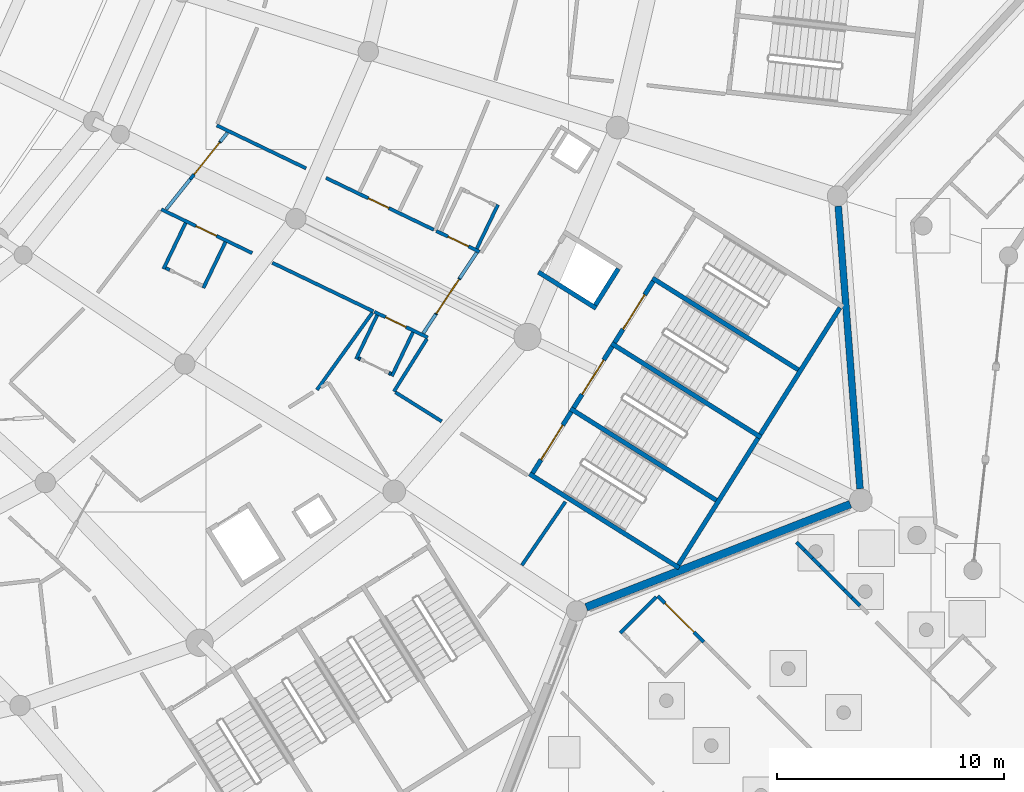
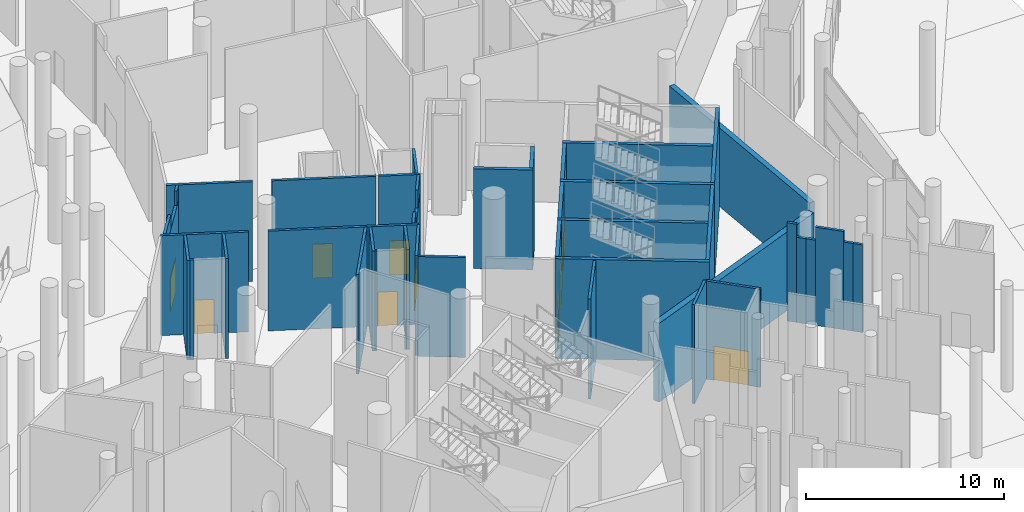
# One storey, part 125 of 255: 45 walls, 10 doors, 10 openings.
"""IFC4 building model written with IfcOpenShell, lengths in metres."""

from ifc_helpers import new_model, si_unit, direction, frame, frame_2d, origin, place, context, subcontext, project, spatial, rectangle, extrude, material, layer, layer_set, type_object, element, fill, save


model = new_model("IFC4")

# Units and contexts
model_context = context("Model", 3, precision=1e-05, world=origin(), true_north=direction((0.0, 1.0)))
body_context = subcontext(model_context, "Body", "Model", "MODEL_VIEW")
ifc_project = project(units=[si_unit("LENGTHUNIT", "METRE"), si_unit("AREAUNIT", "SQUARE_METRE"), si_unit("VOLUMEUNIT", "CUBIC_METRE"), si_unit("PLANEANGLEUNIT", "RADIAN"), si_unit("MASSUNIT", "GRAM", prefix="KILO")], contexts=[model_context])

# Site, building, storey
site_placement = place(None, origin())
site = spatial("IfcSite", under=ifc_project, at=site_placement, CompositionType="ELEMENT")
building_placement = place(site_placement, origin())
building = spatial("IfcBuilding", under=site, at=building_placement, Name="Meseta Stadium", CompositionType="ELEMENT")
storey_placement = place(building_placement, origin())
storey = spatial("IfcBuildingStorey", under=building, at=storey_placement, Name="L00", CompositionType="ELEMENT", Elevation=0.0)

# Walls
ifc_material_1 = material(Name="Concrete C40/50", Category="concrete")
ifc_layer_1 = layer(ifc_material_1, 0.199951171875)
ifc_layer_set_1 = layer_set([ifc_layer_1], Name="Core divider wall 200")
wall_type_1 = type_object("IfcWallType", Name="Core divider wall 200", PredefinedType="SHEAR", material=ifc_layer_set_1)
wall_1_placement = place(storey_placement, frame((86.696533203125, -79.5869140625, 0.0), z_axis=(0.0, 0.0, 1.0), x_axis=(-0.846713903605, 0.532048461553, 0.0)))
element("IfcWall", 1, at=wall_1_placement, inside=storey, type_object=wall_type_1, Name="Core 28 L00 stair A divider wall", PredefinedType="SHEAR", context=body_context, shape_type="SweptSolid", body=[
    extrude(rectangle(XDim=7.7998046875, YDim=0.199951171875, at=frame_2d((3.89990234375, 0.0))), origin(), (0.0, 0.0, 1.0), 6.14990234375),
])
wall_2_placement = place(storey_placement, frame((90.314453125, -73.8291015625, 0.0), z_axis=(0.0, 0.0, 1.0), x_axis=(-0.846722763703, 0.532034361135, 0.0)))
element("IfcWall", 2, at=wall_2_placement, inside=storey, type_object=wall_type_1, Name="Core 28 L00 stair B divider wall", PredefinedType="SHEAR", context=body_context, shape_type="SweptSolid", body=[
    extrude(rectangle(XDim=7.800048828125, YDim=0.199951171875, at=frame_2d((3.89990234375, 0.0))), origin(), (0.0, 0.0, 1.0), 6.14990234375),
])
ifc_material_2 = material(Name="Concrete C40/50", Category="concrete")
ifc_layer_2 = layer(ifc_material_2, 0.199951171875)
ifc_layer_set_2 = layer_set([ifc_layer_2], Name="Core shaft wall 200")
wall_type_2 = type_object("IfcWallType", Name="Core shaft wall 200", PredefinedType="SHEAR", material=ifc_layer_set_2)
for number, where, z_axis, x_axis, name in (
    (3, (84.8876953125, -82.4658203125, 0.0), (0.0, 0.0, 1.0), (-0.846722763703, 0.532034361135, 0.0), "Core 28 L00 stair wall A-side"),
    (4, (88.505615234375, -76.7080078125, 0.0), (0.0, 0.0, 1.0), (-0.846722763703, 0.532034361135, 0.0), "Core 28 L00 stair wall shared"),
):
    element("IfcWall", number, at=place(storey_placement, frame(where, z_axis=z_axis, x_axis=x_axis)), inside=storey, type_object=wall_type_2, Name=name, PredefinedType="SHEAR", context=body_context, shape_type="SweptSolid", body=[
        extrude(rectangle(XDim=7.800048828125, YDim=0.199951171875, at=frame_2d((3.89990234375, 0.0))), origin(), (0.0, 0.0, 1.0), 6.14990234375),
    ])
for number, where, z_axis, x_axis, name in (
    (5, (84.856201171875, -82.327880859375, 0.0), (0.0, 0.0, 1.0), (0.532038964807, 0.846719870989, 0.0), "Core 28 L00 stair A outer end wall"),
    (6, (88.47412109375, -76.570068359375, 0.0), (0.0, 0.0, 1.0), (0.532038964807, 0.846719870989, 0.0), "Core 28 L00 stair B outer end wall"),
):
    element("IfcWall", number, at=place(storey_placement, frame(where, z_axis=z_axis, x_axis=x_axis)), inside=storey, type_object=wall_type_2, Name=name, PredefinedType="SHEAR", context=body_context, shape_type="SweptSolid", body=[
        extrude(rectangle(XDim=6.60009765625, YDim=0.199951171875, at=frame_2d((3.300048828125, 0.0))), origin(), (0.0, 0.0, 1.0), 6.14990234375),
    ])

# Wall, opening, door
wall_3_placement = place(storey_placement, frame((78.421142578125, -78.284423828125, 0.0), z_axis=(0.0, 0.0, 1.0), x_axis=(0.53206841829, 0.84670136309, 0.0)))
wall_3 = element("IfcWall", 7, at=wall_3_placement, inside=storey, type_object=wall_type_2, Name="Core 28 L00 stair A1 inner end wall", PredefinedType="SHEAR", context=body_context, shape_type="SweptSolid", body=[
    extrude(rectangle(XDim=3.199951171875, YDim=0.199951171875, at=frame_2d((1.60009765625, 0.0))), origin(), (0.0, 0.0, 1.0), 6.14990234375),
])
opening_1_placement = place(wall_3_placement, frame((0.699951171875, 0.0, 0.0)))
opening_1 = element("IfcOpeningElement", 8, at=opening_1_placement, cuts=wall_3, Name="Opening D369", PredefinedType="OPENING", context=body_context, shape_type="SweptSolid", body=[
    extrude(rectangle(XDim=1.800048828125, YDim=2.10009765625, at=frame_2d((0.89990234375, 1.050048828125))), frame((0.0, 0.10986328125, 0.0), z_axis=(0.0, -1.0, 0.0), x_axis=(1.0, 0.0, 0.0)), (0.0, 0.0, 1.0), 0.219970703125),
])
ifc_material_3 = material(Name="Steel", Category="steel")
door_type_1 = type_object("IfcDoorType", Name="Stair door 1800x2100", OperationType="DOUBLE_DOOR_SINGLE_SWING", PredefinedType="DOOR", material=ifc_material_3)
door_1_placement = place(opening_1_placement, origin())
door_1 = element("IfcDoor", 9, at=door_1_placement, inside=storey, type_object=door_type_1, Name="Stair A1 door 28 L00", OperationType="DOUBLE_DOOR_SINGLE_SWING", OverallHeight=2.10009765625, OverallWidth=1.800048828125, PredefinedType="DOOR", context=body_context, shape_type="SweptSolid", body=[
    extrude(rectangle(XDim=1.800048828125, YDim=2.10009765625, at=frame_2d((0.89990234375, 1.050048828125))), frame((0.0, 0.02490234375, 0.0), z_axis=(0.0, -1.0, 0.0), x_axis=(1.0, 0.0, 0.0)), (0.0, 0.0, 1.0), 0.050048828125),
])
fill(opening_1, door_1)

wall_4_placement = place(storey_placement, frame((80.22998046875, -75.405517578125, 0.0), z_axis=(0.0, 0.0, 1.0), x_axis=(0.53206841829, 0.84670136309, 0.0)))
wall_4 = element("IfcWall", 10, at=wall_4_placement, inside=storey, type_object=wall_type_2, Name="Core 28 L00 stair A2 inner end wall", PredefinedType="SHEAR", context=body_context, shape_type="SweptSolid", body=[
    extrude(rectangle(XDim=3.199951171875, YDim=0.199951171875, at=frame_2d((1.60009765625, 0.0))), origin(), (0.0, 0.0, 1.0), 6.14990234375),
])
opening_2_placement = place(wall_4_placement, frame((0.699951171875, 0.0, 0.0)))
opening_2 = element("IfcOpeningElement", 11, at=opening_2_placement, cuts=wall_4, Name="Opening D370", PredefinedType="OPENING", context=body_context, shape_type="SweptSolid", body=[
    extrude(rectangle(XDim=1.800048828125, YDim=2.10009765625, at=frame_2d((0.89990234375, 1.050048828125))), frame((0.0, 0.10986328125, 0.0), z_axis=(0.0, -1.0, 0.0), x_axis=(1.0, 0.0, 0.0)), (0.0, 0.0, 1.0), 0.219970703125),
])
door_2_placement = place(opening_2_placement, origin())
door_2 = element("IfcDoor", 12, at=door_2_placement, inside=storey, type_object=door_type_1, Name="Stair A2 door 28 L00", OperationType="DOUBLE_DOOR_SINGLE_SWING", OverallHeight=2.10009765625, OverallWidth=1.800048828125, PredefinedType="DOOR", context=body_context, shape_type="SweptSolid", body=[
    extrude(rectangle(XDim=1.800048828125, YDim=2.10009765625, at=frame_2d((0.89990234375, 1.050048828125))), frame((0.0, 0.02490234375, 0.0), z_axis=(0.0, -1.0, 0.0), x_axis=(1.0, 0.0, 0.0)), (0.0, 0.0, 1.0), 0.050048828125),
])
fill(opening_2, door_2)

wall_5_placement = place(storey_placement, frame((82.0390625, -72.526611328125, 0.0), z_axis=(0.0, 0.0, 1.0), x_axis=(0.532013720158, 0.846735733015, 0.0)))
wall_5 = element("IfcWall", 13, at=wall_5_placement, inside=storey, type_object=wall_type_2, Name="Core 28 L00 stair B1 inner end wall", PredefinedType="SHEAR", context=body_context, shape_type="SweptSolid", body=[
    extrude(rectangle(XDim=3.199951171875, YDim=0.199951171875, at=frame_2d((1.60009765625, 0.0))), origin(), (0.0, 0.0, 1.0), 6.14990234375),
])
opening_3_placement = place(wall_5_placement, frame((0.699951171875, 0.0, 0.0)))
opening_3 = element("IfcOpeningElement", 14, at=opening_3_placement, cuts=wall_5, Name="Opening D371", PredefinedType="OPENING", context=body_context, shape_type="SweptSolid", body=[
    extrude(rectangle(XDim=1.800048828125, YDim=2.10009765625, at=frame_2d((0.89990234375, 1.050048828125))), frame((0.0, 0.10986328125, 0.0), z_axis=(0.0, -1.0, 0.0), x_axis=(1.0, 0.0, 0.0)), (0.0, 0.0, 1.0), 0.219970703125),
])
door_3_placement = place(opening_3_placement, origin())
door_3 = element("IfcDoor", 15, at=door_3_placement, inside=storey, type_object=door_type_1, Name="Stair B1 door 28 L00", OperationType="DOUBLE_DOOR_SINGLE_SWING", OverallHeight=2.10009765625, OverallWidth=1.800048828125, PredefinedType="DOOR", context=body_context, shape_type="SweptSolid", body=[
    extrude(rectangle(XDim=1.800048828125, YDim=2.10009765625, at=frame_2d((0.89990234375, 1.050048828125))), frame((0.0, 0.02490234375, 0.0), z_axis=(0.0, -1.0, 0.0), x_axis=(1.0, 0.0, 0.0)), (0.0, 0.0, 1.0), 0.050048828125),
])
fill(opening_3, door_3)

# Walls
wall_6_placement = place(storey_placement, frame((81.22119140625, -71.0087890625, 0.0), z_axis=(0.0, 0.0, 1.0), x_axis=(-0.846757002027, 0.531979867588, 0.0)))
element("IfcWall", 16, at=wall_6_placement, inside=storey, type_object=wall_type_2, Name="Core 28 L00 lift shaft wall left", PredefinedType="SHEAR", context=body_context, shape_type="SweptSolid", body=[
    extrude(rectangle(XDim=3.0, YDim=0.199951171875, at=frame_2d((1.5, 0.0))), origin(), (0.0, 0.0, 1.0), 6.14990234375),
])
wall_7_placement = place(storey_placement, frame((81.189697265625, -70.87109375, 0.0), z_axis=(0.0, 0.0, 1.0), x_axis=(0.531961007765, 0.846768850524, 0.0)))
element("IfcWall", 17, at=wall_7_placement, inside=storey, type_object=wall_type_2, Name="Core 28 L00 lift shaft back wall", PredefinedType="SHEAR", context=body_context, shape_type="SweptSolid", body=[
    extrude(rectangle(XDim=1.900146484375, YDim=0.199951171875, at=frame_2d((0.9501953125, 0.0))), origin(), (0.0, 0.0, 1.0), 6.14990234375),
])

# Wall, opening, door
ifc_material_4 = material(Name="Masonry blockwork", Category="masonry")
ifc_layer_3 = layer(ifc_material_4, 0.14990234375)
ifc_layer_set_3 = layer_set([ifc_layer_3], Name="Partition 150")
wall_type_3 = type_object("IfcWallType", Name="Partition 150", PredefinedType="PARTITIONING", material=ifc_layer_set_3)
wall_8_placement = place(storey_placement, frame((83.94921875, -83.70654296875, 0.0), z_axis=(0.0, 0.0, 1.0), x_axis=(0.707106781187, -0.707106781187, 0.0)))
wall_8 = element("IfcWall", 18, at=wall_8_placement, inside=storey, type_object=wall_type_3, Name="Partition L00 G8-L00-2-TicketHall-0", PredefinedType="PARTITIONING", context=body_context, shape_type="SweptSolid", body=[
    extrude(rectangle(XDim=2.87158203125, YDim=0.14990234375, at=frame_2d((1.435791015625, 0.0))), origin(), (0.0, 0.0, 1.0), 6.050048828125),
])
opening_4_placement = place(wall_8_placement, frame((0.449951171875, 0.0, 0.0)))
opening_4 = element("IfcOpeningElement", 19, at=opening_4_placement, cuts=wall_8, Name="Opening D533", PredefinedType="OPENING", context=body_context, shape_type="SweptSolid", body=[
    extrude(rectangle(XDim=1.800048828125, YDim=2.10009765625, at=frame_2d((0.89990234375, 1.050048828125))), frame((0.0, 0.0849609375, 0.0), z_axis=(0.0, -1.0, 0.0), x_axis=(1.0, 0.0, 0.0)), (0.0, 0.0, 1.0), 0.169921875),
])
ifc_material_5 = material(Name="Steel", Category="steel")
door_type_2 = type_object("IfcDoorType", Name="Fire double door 1800x2100 EI2 60", OperationType="DOUBLE_DOOR_SINGLE_SWING", PredefinedType="DOOR", material=ifc_material_5)
door_4_placement = place(opening_4_placement, origin())
door_4 = element("IfcDoor", 20, at=door_4_placement, inside=storey, type_object=door_type_2, Name="Door D533", OperationType="DOUBLE_DOOR_SINGLE_SWING", OverallHeight=2.10009765625, OverallWidth=1.800048828125, PredefinedType="DOOR", context=body_context, shape_type="SweptSolid", body=[
    extrude(rectangle(XDim=1.800048828125, YDim=2.10009765625, at=frame_2d((0.89990234375, 1.050048828125))), frame((0.0, 0.02490234375, 0.0), z_axis=(0.0, -1.0, 0.0), x_axis=(1.0, 0.0, 0.0)), (0.0, 0.0, 1.0), 0.050048828125),
])
fill(opening_4, door_4)

# Walls
wall_9_placement = place(storey_placement, frame((90.066162109375, -81.338134765625, 0.0), z_axis=(0.0, 0.0, 1.0), x_axis=(0.707106781187, -0.707106781187, 0.0)))
element("IfcWall", 21, at=wall_9_placement, inside=storey, type_object=wall_type_3, Name="Partition L00 G8-L00-3-EntranceHall-0", PredefinedType="PARTITIONING", context=body_context, shape_type="SweptSolid", body=[
    extrude(rectangle(XDim=0.495361328125, YDim=0.14990234375, at=frame_2d((0.24755859375, 0.0))), origin(), (0.0, 0.0, 1.0), 6.050048828125),
])
for number, where, z_axis, x_axis, name in (
    (22, (90.41650390625, -81.6884765625, 0.0), (0.0, 0.0, 1.0), (0.706860273703, -0.707353202764, 0.0), "Partition L00 G8-L00-3-EntranceHall-0"),
    (23, (90.7666015625, -82.038818359375, 0.0), (0.0, 0.0, 1.0), (0.707106781187, -0.707106781187, 0.0), "Partition L00 G8-L00-3-EntranceHall-0"),
):
    element("IfcWall", number, at=place(storey_placement, frame(where, z_axis=z_axis, x_axis=x_axis)), inside=storey, type_object=wall_type_3, Name=name, PredefinedType="PARTITIONING", context=body_context, shape_type="SweptSolid", body=[
        extrude(rectangle(XDim=0.495361328125, YDim=0.14990234375, at=frame_2d((0.24755859375, 0.0))), origin(), (0.0, 0.0, 1.0), 5.25),
    ])
wall_10_placement = place(storey_placement, frame((91.116943359375, -82.38916015625, 0.0), z_axis=(0.0, 0.0, 1.0), x_axis=(0.707188912178, -0.707024640654, 0.0)))
element("IfcWall", 24, at=wall_10_placement, inside=storey, type_object=wall_type_3, Name="Partition L00 G8-L00-3-EntranceHall-0", PredefinedType="PARTITIONING", context=body_context, shape_type="SweptSolid", body=[
    extrude(rectangle(XDim=1.486083984375, YDim=0.14990234375, at=frame_2d((0.7431640625, 0.0))), origin(), (0.0, 0.0, 1.0), 6.050048828125),
])
for number, where, z_axis, x_axis, name in (
    (25, (92.16796875, -83.43994140625, 0.0), (0.0, 0.0, 1.0), (0.707106781187, -0.707106781187, 0.0), "Partition L00 G8-L00-3-EntranceHall-0"),
    (26, (92.518310546875, -83.790283203125, 0.0), (0.0, 0.0, 1.0), (0.706860273703, -0.707353202764, 0.0), "Partition L00 G8-L00-3-EntranceHall-0"),
):
    element("IfcWall", number, at=place(storey_placement, frame(where, z_axis=z_axis, x_axis=x_axis)), inside=storey, type_object=wall_type_3, Name=name, PredefinedType="PARTITIONING", context=body_context, shape_type="SweptSolid", body=[
        extrude(rectangle(XDim=0.495361328125, YDim=0.14990234375, at=frame_2d((0.24755859375, 0.0))), origin(), (0.0, 0.0, 1.0), 5.39990234375),
    ])

# Wall, opening, door
wall_11_placement = place(storey_placement, frame((62.03515625, -66.643798828125, 0.0), z_axis=(0.0, 0.0, 1.0), x_axis=(0.901212042365, -0.43337841974, 0.0)))
wall_11 = element("IfcWall", 27, at=wall_11_placement, inside=storey, type_object=wall_type_3, Name="Partition L00 L00-cell26-1-0", PredefinedType="PARTITIONING", context=body_context, shape_type="SweptSolid", body=[
    extrude(rectangle(XDim=4.449951171875, YDim=0.14990234375, at=frame_2d((2.22509765625, 0.0))), origin(), (0.0, 0.0, 1.0), 6.14990234375),
])
opening_5_placement = place(wall_11_placement, frame((1.699951171875, 0.0, 0.0)))
opening_5 = element("IfcOpeningElement", 28, at=opening_5_placement, cuts=wall_11, Name="Opening D615", PredefinedType="OPENING", context=body_context, shape_type="SweptSolid", body=[
    extrude(rectangle(XDim=1.0, YDim=2.10009765625, at=frame_2d((0.5, 1.050048828125))), frame((0.0, 0.0849609375, 0.0), z_axis=(0.0, -1.0, 0.0), x_axis=(1.0, 0.0, 0.0)), (0.0, 0.0, 1.0), 0.169921875),
])
ifc_material_6 = material(Name="Steel", Category="steel")
door_type_3 = type_object("IfcDoorType", Name="Fire door 1000x2100 EI2 60", OperationType="NOTDEFINED", PredefinedType="DOOR", material=ifc_material_6)
door_5_placement = place(opening_5_placement, origin())
door_5 = element("IfcDoor", 29, at=door_5_placement, inside=storey, type_object=door_type_3, Name="Door D615", OperationType="SINGLE_SWING_RIGHT", OverallHeight=2.10009765625, OverallWidth=1.0, PredefinedType="DOOR", context=body_context, shape_type="SweptSolid", body=[
    extrude(rectangle(XDim=1.0, YDim=2.10009765625, at=frame_2d((0.5, 1.050048828125))), frame((0.0, 0.02490234375, 0.0), z_axis=(0.0, -1.0, 0.0), x_axis=(1.0, 0.0, 0.0)), (0.0, 0.0, 1.0), 0.050048828125),
])
fill(opening_5, door_5)

# Walls
wall_12_placement = place(storey_placement, frame((66.9365234375, -69.000732421875, 0.0), z_axis=(0.0, 0.0, 1.0), x_axis=(0.901185296762, -0.433434032928, 0.0)))
element("IfcWall", 30, at=wall_12_placement, inside=storey, type_object=wall_type_3, Name="Partition L00 L00-cell26-1-0", PredefinedType="PARTITIONING", context=body_context, shape_type="SweptSolid", body=[
    extrude(rectangle(XDim=4.9443359375, YDim=0.14990234375, at=frame_2d((2.47216796875, 0.0))), origin(), (0.0, 0.0, 1.0), 6.14990234375),
])
wall_13_placement = place(storey_placement, frame((71.347900390625, -71.20556640625, 0.0), z_axis=(0.0, 0.0, 1.0), x_axis=(-0.583304436704, -0.812253614409, 0.0)))
element("IfcWall", 31, at=wall_13_placement, inside=storey, type_object=wall_type_3, Name="Partition L00 L00-cell26-1-0", PredefinedType="PARTITIONING", context=body_context, shape_type="SweptSolid", body=[
    extrude(rectangle(XDim=4.1875, YDim=0.14990234375, at=frame_2d((2.09375, 0.0))), origin(), (0.0, 0.0, 1.0), 6.14990234375),
])

# Wall, opening, door
wall_14_placement = place(storey_placement, frame((71.437255859375, -71.165283203125, 0.0), z_axis=(0.0, 0.0, 1.0), x_axis=(0.901204092293, -0.433394951556, 0.0)))
wall_14 = element("IfcWall", 32, at=wall_14_placement, inside=storey, type_object=wall_type_3, Name="Partition L00 L00-cell26-2-0", PredefinedType="PARTITIONING", context=body_context, shape_type="SweptSolid", body=[
    extrude(rectangle(XDim=2.61767578125, YDim=0.14990234375, at=frame_2d((1.308837890625, 0.0))), origin(), (0.0, 0.0, 1.0), 6.14990234375),
])
opening_6_placement = place(wall_14_placement, frame((0.550048828125, 0.0, 0.0)))
opening_6 = element("IfcOpeningElement", 33, at=opening_6_placement, cuts=wall_14, Name="Opening D616", PredefinedType="OPENING", context=body_context, shape_type="SweptSolid", body=[
    extrude(rectangle(XDim=1.0, YDim=2.10009765625, at=frame_2d((0.5, 1.050048828125))), frame((0.0, 0.0849609375, 0.0), z_axis=(0.0, -1.0, 0.0), x_axis=(1.0, 0.0, 0.0)), (0.0, 0.0, 1.0), 0.169921875),
])
ifc_material_7 = material(Name="Steel", Category="steel")
door_type_4 = type_object("IfcDoorType", Name="Fire door 1000x2100 EI2 120", OperationType="NOTDEFINED", PredefinedType="DOOR", material=ifc_material_7)
door_6_placement = place(opening_6_placement, origin())
door_6 = element("IfcDoor", 34, at=door_6_placement, inside=storey, type_object=door_type_4, Name="Door D616", OperationType="SINGLE_SWING_LEFT", OverallHeight=2.10009765625, OverallWidth=1.0, PredefinedType="DOOR", context=body_context, shape_type="SweptSolid", body=[
    extrude(rectangle(XDim=1.0, YDim=2.10009765625, at=frame_2d((0.5, 1.050048828125))), frame((0.0, 0.02490234375, 0.0), z_axis=(0.0, -1.0, 0.0), x_axis=(1.0, 0.0, 0.0)), (0.0, 0.0, 1.0), 0.050048828125),
])
fill(opening_6, door_6)

# Walls
wall_15_placement = place(storey_placement, frame((73.756103515625, -72.36376953125, 0.0), z_axis=(0.0, 0.0, 1.0), x_axis=(-0.532054374811, -0.846710187871, 0.0)))
element("IfcWall", 35, at=wall_15_placement, inside=storey, type_object=wall_type_3, Name="Partition L00 L00-cell26-2-0", PredefinedType="PARTITIONING", context=body_context, shape_type="SweptSolid", body=[
    extrude(rectangle(XDim=2.731201171875, YDim=0.14990234375, at=frame_2d((1.36572265625, 0.0))), origin(), (0.0, 0.0, 1.0), 6.14990234375),
])
wall_16_placement = place(storey_placement, frame((72.366455078125, -74.71630859375, 0.0), z_axis=(0.0, 0.0, 1.0), x_axis=(0.846749951858, -0.531991089237, 0.0)))
element("IfcWall", 36, at=wall_16_placement, inside=storey, type_object=wall_type_3, Name="Partition L00 L00-cell26-2-0", PredefinedType="PARTITIONING", context=body_context, shape_type="SweptSolid", body=[
    extrude(rectangle(XDim=2.41064453125, YDim=0.14990234375, at=frame_2d((1.205322265625, 0.0))), origin(), (0.0, 0.0, 1.0), 6.14990234375),
])
wall_17_placement = place(storey_placement, frame((79.869140625, -79.548583984375, 0.0), z_axis=(0.0, 0.0, 1.0), x_axis=(-0.565957595718, -0.824434351449, 0.0)))
element("IfcWall", 37, at=wall_17_placement, inside=storey, type_object=wall_type_3, Name="Partition L00 L00-cell26-2-0", PredefinedType="PARTITIONING", context=body_context, shape_type="SweptSolid", body=[
    extrude(rectangle(XDim=3.392822265625, YDim=0.14990234375, at=frame_2d((1.6962890625, 0.0))), origin(), (0.0, 0.0, 1.0), 6.14990234375),
])

# Wall, opening, door
wall_18_placement = place(storey_placement, frame((74.0576171875, -67.543212890625, 0.0), z_axis=(0.0, 0.0, 1.0), x_axis=(-0.90118985402, 0.433424557462, 0.0)))
wall_18 = element("IfcWall", 38, at=wall_18_placement, inside=storey, type_object=wall_type_3, Name="Partition L00 L00-cell27-1-0", PredefinedType="PARTITIONING", context=body_context, shape_type="SweptSolid", body=[
    extrude(rectangle(XDim=5.275146484375, YDim=0.14990234375, at=frame_2d((2.6376953125, 0.0))), origin(), (0.0, 0.0, 1.0), 6.14990234375),
])
opening_7_placement = place(wall_18_placement, frame((2.199951171875, 0.0, 0.0)))
opening_7 = element("IfcOpeningElement", 39, at=opening_7_placement, cuts=wall_18, Name="Opening D617", PredefinedType="OPENING", context=body_context, shape_type="SweptSolid", body=[
    extrude(rectangle(XDim=1.0, YDim=2.10009765625, at=frame_2d((0.5, 1.050048828125))), frame((0.0, 0.0849609375, 0.0), z_axis=(0.0, -1.0, 0.0), x_axis=(1.0, 0.0, 0.0)), (0.0, 0.0, 1.0), 0.169921875),
])
door_7_placement = place(opening_7_placement, origin())
door_7 = element("IfcDoor", 40, at=door_7_placement, inside=storey, type_object=door_type_3, Name="Door D617", OperationType="SINGLE_SWING_RIGHT", OverallHeight=2.10009765625, OverallWidth=1.0, PredefinedType="DOOR", context=body_context, shape_type="SweptSolid", body=[
    extrude(rectangle(XDim=1.0, YDim=2.10009765625, at=frame_2d((0.5, 1.050048828125))), frame((0.0, 0.02490234375, 0.0), z_axis=(0.0, -1.0, 0.0), x_axis=(1.0, 0.0, 0.0)), (0.0, 0.0, 1.0), 0.050048828125),
])
fill(opening_7, door_7)

# Wall
wall_19_placement = place(storey_placement, frame((68.42724609375, -64.835205078125, 0.0), z_axis=(0.0, 0.0, 1.0), x_axis=(-0.901214723888, 0.433372843459, 0.0)))
element("IfcWall", 41, at=wall_19_placement, inside=storey, type_object=wall_type_3, Name="Partition L00 L00-cell27-1-0", PredefinedType="PARTITIONING", context=body_context, shape_type="SweptSolid", body=[
    extrude(rectangle(XDim=4.377197265625, YDim=0.14990234375, at=frame_2d((2.1884765625, 0.0))), origin(), (0.0, 0.0, 1.0), 6.14990234375),
])

# Wall, opening, door
wall_20_placement = place(storey_placement, frame((76.083984375, -68.517822265625, 0.0), z_axis=(0.0, 0.0, 1.0), x_axis=(-0.901196299468, 0.433411155631, 0.0)))
wall_20 = element("IfcWall", 42, at=wall_20_placement, inside=storey, type_object=wall_type_3, Name="Partition L00 L00-cell27-2-0", PredefinedType="PARTITIONING", context=body_context, shape_type="SweptSolid", body=[
    extrude(rectangle(XDim=2.12353515625, YDim=0.14990234375, at=frame_2d((1.061767578125, 0.0))), origin(), (0.0, 0.0, 1.0), 6.14990234375),
])
opening_8_placement = place(wall_20_placement, frame((0.550048828125, 0.0, 0.0)))
opening_8 = element("IfcOpeningElement", 43, at=opening_8_placement, cuts=wall_20, Name="Opening D618", PredefinedType="OPENING", context=body_context, shape_type="SweptSolid", body=[
    extrude(rectangle(XDim=1.0, YDim=2.10009765625, at=frame_2d((0.5, 1.050048828125))), frame((0.0, 0.0849609375, 0.0), z_axis=(0.0, -1.0, 0.0), x_axis=(1.0, 0.0, 0.0)), (0.0, 0.0, 1.0), 0.169921875),
])
door_8_placement = place(opening_8_placement, origin())
door_8 = element("IfcDoor", 44, at=door_8_placement, inside=storey, type_object=door_type_3, Name="Door D618", OperationType="SINGLE_SWING_RIGHT", OverallHeight=2.10009765625, OverallWidth=1.0, PredefinedType="DOOR", context=body_context, shape_type="SweptSolid", body=[
    extrude(rectangle(XDim=1.0, YDim=2.10009765625, at=frame_2d((0.5, 1.050048828125))), frame((0.0, 0.02490234375, 0.0), z_axis=(0.0, -1.0, 0.0), x_axis=(1.0, 0.0, 0.0)), (0.0, 0.0, 1.0), 0.050048828125),
])
fill(opening_8, door_8)

# Walls
wall_21_placement = place(storey_placement, frame((83.878662109375, -83.741943359375, 0.0), z_axis=(0.0, 0.0, 1.0), x_axis=(-0.707106781187, -0.707106781187, 0.0)))
element("IfcWall", 45, at=wall_21_placement, inside=storey, type_object=wall_type_3, Name="Partition L00 G8-L00-2-TicketHall-0 vestibule", PredefinedType="PARTITIONING", context=body_context, shape_type="SweptSolid", body=[
    extrude(rectangle(XDim=2.25, YDim=0.14990234375, at=frame_2d((1.125, 0.0))), origin(), (0.0, 0.0, 1.0), 6.10009765625),
])
wall_22_placement = place(storey_placement, frame((63.106689453125, -67.2421875, 0.0), z_axis=(0.0, 0.0, 1.0), x_axis=(-0.433358837747, -0.90122145877, 0.0)))
element("IfcWall", 46, at=wall_22_placement, inside=storey, type_object=wall_type_3, Name="Partition L00 L00-cell26-1-0 vestibule", PredefinedType="PARTITIONING", context=body_context, shape_type="SweptSolid", body=[
    extrude(rectangle(XDim=2.25, YDim=0.14990234375, at=frame_2d((1.125, 0.0))), origin(), (0.0, 0.0, 1.0), 6.14990234375),
])
wall_23_placement = place(storey_placement, frame((64.864013671875, -68.08740234375, 0.0), z_axis=(0.0, 0.0, 1.0), x_axis=(-0.433401217297, -0.901201079031, 0.0)))
element("IfcWall", 47, at=wall_23_placement, inside=storey, type_object=wall_type_3, Name="Partition L00 L00-cell26-1-0 vestibule", PredefinedType="PARTITIONING", context=body_context, shape_type="SweptSolid", body=[
    extrude(rectangle(XDim=2.249755859375, YDim=0.14990234375, at=frame_2d((1.125, 0.0))), origin(), (0.0, 0.0, 1.0), 6.14990234375),
])
wall_24_placement = place(storey_placement, frame((62.231689453125, -69.23486328125, 0.0), z_axis=(0.0, 0.0, 1.0), x_axis=(0.901160703759, -0.433485162377, 0.0)))
element("IfcWall", 48, at=wall_24_placement, inside=storey, type_object=wall_type_3, Name="Partition L00 L00-cell26-1-0 vestibule", PredefinedType="PARTITIONING", context=body_context, shape_type="SweptSolid", body=[
    extrude(rectangle(XDim=0.199951171875, YDim=0.14990234375, at=frame_2d((0.10009765625, 0.0))), origin(), (0.0, 0.0, 1.0), 6.14990234375),
])
for number, where, z_axis, x_axis, name in (
    (49, (71.5625, -71.308837890625, 0.0), (0.0, 0.0, 1.0), (-0.433443426486, -0.901180778777, 0.0), "Partition L00 L00-cell26-2-0 vestibule"),
    (50, (73.1396484375, -72.0673828125, 0.0), (0.0, 0.0, 1.0), (-0.433443426486, -0.901180778777, 0.0), "Partition L00 L00-cell26-2-0 vestibule"),
):
    element("IfcWall", number, at=place(storey_placement, frame(where, z_axis=z_axis, x_axis=x_axis)), inside=storey, type_object=wall_type_3, Name=name, PredefinedType="PARTITIONING", context=body_context, shape_type="SweptSolid", body=[
        extrude(rectangle(XDim=2.14990234375, YDim=0.14990234375, at=frame_2d((1.074951171875, 0.0))), origin(), (0.0, 0.0, 1.0), 6.14990234375),
    ])
for number, where, z_axis, x_axis, name in (
    (51, (70.730712890625, -73.211181640625, 0.0), (0.0, 0.0, 1.0), (0.900683407008, -0.434476006633, 0.0), "Partition L00 L00-cell26-2-0 vestibule"),
    (52, (72.08251953125, -73.861328125, 0.0), (0.0, 0.0, 1.0), (0.900683407008, -0.434476006633, 0.0), "Partition L00 L00-cell26-2-0 vestibule"),
):
    element("IfcWall", number, at=place(storey_placement, frame(where, z_axis=z_axis, x_axis=x_axis)), inside=storey, type_object=wall_type_3, Name=name, PredefinedType="PARTITIONING", context=body_context, shape_type="SweptSolid", body=[
        extrude(rectangle(XDim=0.10009765625, YDim=0.14990234375, at=frame_2d((0.050048828125, 0.0))), origin(), (0.0, 0.0, 1.0), 6.14990234375),
    ])
wall_25_placement = place(storey_placement, frame((75.958984375, -68.37451171875, 0.0), z_axis=(0.0, 0.0, 1.0), x_axis=(0.433399074272, 0.90120210964, 0.0)))
element("IfcWall", 53, at=wall_25_placement, inside=storey, type_object=wall_type_3, Name="Partition L00 L00-cell27-2-0 vestibule", PredefinedType="PARTITIONING", context=body_context, shape_type="SweptSolid", body=[
    extrude(rectangle(XDim=2.150146484375, YDim=0.14990234375, at=frame_2d((1.0751953125, 0.0))), origin(), (0.0, 0.0, 1.0), 6.14990234375),
])

# Wall, opening, door
wall_26_placement = place(storey_placement, frame((73.595458984375, -72.107666015625, 0.0), z_axis=(0.0, 0.0, 1.0), x_axis=(0.552890314707, 0.833254042837, 0.0)))
wall_26 = element("IfcWall", 54, at=wall_26_placement, inside=storey, type_object=wall_type_3, Name="Escape corridor sector wall L00 core 28", PredefinedType="PARTITIONING", context=body_context, shape_type="SweptSolid", body=[
    extrude(rectangle(XDim=4.267822265625, YDim=0.14990234375, at=frame_2d((2.1337890625, 0.0))), origin(), (0.0, 0.0, 1.0), 5.050048828125),
])
opening_9_placement = place(wall_26_placement, frame((1.050048828125, 0.0, 0.0)))
opening_9 = element("IfcOpeningElement", 55, at=opening_9_placement, cuts=wall_26, Name="Opening D432", PredefinedType="OPENING", context=body_context, shape_type="SweptSolid", body=[
    extrude(rectangle(XDim=1.800048828125, YDim=2.10009765625, at=frame_2d((0.89990234375, 1.050048828125))), frame((0.0, 0.0849609375, 0.0), z_axis=(0.0, -1.0, 0.0), x_axis=(1.0, 0.0, 0.0)), (0.0, 0.0, 1.0), 0.169921875),
])
door_9_placement = place(opening_9_placement, origin())
door_9 = element("IfcDoor", 56, at=door_9_placement, inside=storey, type_object=door_type_2, Name="Escape corridor door EC28-1", OperationType="DOUBLE_DOOR_SINGLE_SWING", OverallHeight=2.10009765625, OverallWidth=1.800048828125, PredefinedType="DOOR", context=body_context, shape_type="SweptSolid", body=[
    extrude(rectangle(XDim=1.800048828125, YDim=2.10009765625, at=frame_2d((0.89990234375, 1.050048828125))), frame((0.0, 0.02490234375, 0.0), z_axis=(0.0, -1.0, 0.0), x_axis=(1.0, 0.0, 0.0)), (0.0, 0.0, 1.0), 0.050048828125),
])
fill(opening_9, door_9)

# Walls
wall_27_placement = place(storey_placement, frame((73.595458984375, -72.107666015625, 5.050048828125), z_axis=(0.0, 0.0, 1.0), x_axis=(0.552782992552, 0.833325244514, 0.0)))
element("IfcWall", 57, at=wall_27_placement, inside=storey, type_object=wall_type_3, Name="Escape corridor sector wall L00 core 28", PredefinedType="PARTITIONING", context=body_context, shape_type="SweptSolid", body=[
    extrude(rectangle(XDim=1.0, YDim=0.14990234375, at=frame_2d((0.5, 0.0))), origin(), (0.0, 0.0, 1.0), 1.099853515625),
])
wall_28_placement = place(storey_placement, frame((75.198974609375, -69.691162109375, 5.050048828125), z_axis=(0.0, 0.0, 1.0), x_axis=(0.552845063211, 0.833284066861, 0.0)))
element("IfcWall", 58, at=wall_28_placement, inside=storey, type_object=wall_type_3, Name="Escape corridor sector wall L00 core 28", PredefinedType="PARTITIONING", context=body_context, shape_type="SweptSolid", body=[
    extrude(rectangle(XDim=1.36767578125, YDim=0.14990234375, at=frame_2d((0.683837890625, 0.0))), origin(), (0.0, 0.0, 1.0), 1.099853515625),
])

# Wall, opening, door
wall_29_placement = place(storey_placement, frame((62.248779296875, -66.6435546875, 0.0), z_axis=(0.0, 0.0, 1.0), x_axis=(0.624681279042, 0.780879824054, 0.0)))
wall_29 = element("IfcWall", 59, at=wall_29_placement, inside=storey, type_object=wall_type_3, Name="Escape corridor discharge wall L00 core 28", PredefinedType="PARTITIONING", context=body_context, shape_type="SweptSolid", body=[
    extrude(rectangle(XDim=4.324951171875, YDim=0.14990234375, at=frame_2d((2.16259765625, 0.0))), origin(), (0.0, 0.0, 1.0), 5.25),
])
opening_10_placement = place(wall_29_placement, frame((1.974853515625, 0.0, 0.0)))
opening_10 = element("IfcOpeningElement", 60, at=opening_10_placement, cuts=wall_29, Name="Opening D404", PredefinedType="OPENING", context=body_context, shape_type="SweptSolid", body=[
    extrude(rectangle(XDim=1.800048828125, YDim=2.10009765625, at=frame_2d((0.89990234375, 1.050048828125))), frame((0.0, 0.0849609375, 0.0), z_axis=(0.0, -1.0, 0.0), x_axis=(1.0, 0.0, 0.0)), (0.0, 0.0, 1.0), 0.169921875),
])
door_10_placement = place(opening_10_placement, origin())
door_10 = element("IfcDoor", 61, at=door_10_placement, inside=storey, type_object=door_type_2, Name="Stair discharge door SD28-1", OperationType="DOUBLE_DOOR_SINGLE_SWING", OverallHeight=2.10009765625, OverallWidth=1.800048828125, PredefinedType="DOOR", context=body_context, shape_type="SweptSolid", body=[
    extrude(rectangle(XDim=1.800048828125, YDim=2.10009765625, at=frame_2d((0.89990234375, 1.050048828125))), frame((0.0, 0.02490234375, 0.0), z_axis=(0.0, -1.0, 0.0), x_axis=(1.0, 0.0, 0.0)), (0.0, 0.0, 1.0), 0.050048828125),
])
fill(opening_10, door_10)

# Walls
wall_30_placement = place(storey_placement, frame((64.63818359375, -63.65673828125, 5.25), z_axis=(0.0, 0.0, 1.0), x_axis=(0.624635487442, 0.780916453808, 0.0)))
element("IfcWall", 62, at=wall_30_placement, inside=storey, type_object=wall_type_3, Name="Escape corridor discharge wall L00 core 28", PredefinedType="PARTITIONING", context=body_context, shape_type="SweptSolid", body=[
    extrude(rectangle(XDim=0.5, YDim=0.14990234375, at=frame_2d((0.25, 0.0))), origin(), (0.0, 0.0, 1.0), 0.89990234375),
])
wall_31_placement = place(storey_placement, frame((62.248779296875, -66.6435546875, 5.25), z_axis=(0.0, 0.0, 1.0), x_axis=(0.624677522625, 0.780882829064, 0.0)))
element("IfcWall", 63, at=wall_31_placement, inside=storey, type_object=wall_type_3, Name="Escape corridor discharge wall L00 core 28", PredefinedType="PARTITIONING", context=body_context, shape_type="SweptSolid", body=[
    extrude(rectangle(XDim=1.698974609375, YDim=0.14990234375, at=frame_2d((0.849609375, 0.0))), origin(), (0.0, 0.0, 1.0), 0.89990234375),
])
ifc_material_8 = material(Name="White precast concrete C40/50", Category="concrete")
ifc_layer_4 = layer(ifc_material_8, 0.300048828125)
ifc_layer_set_4 = layer_set([ifc_layer_4], Name="Pleated panel wall 300 concourse")
wall_type_4 = type_object("IfcWallType", Name="Pleated panel wall 300 concourse", PredefinedType="SOLIDWALL", material=ifc_layer_set_4)
wall_32_placement = place(storey_placement, frame((91.9072265625, -66.499755859375, 0.0), z_axis=(0.0, 0.0, 1.0), x_axis=(0.076945644854, -0.997035289114, 0.0)))
element("IfcWall", 64, at=wall_32_placement, inside=storey, type_object=wall_type_4, Name="Pleated facade panel L00 F54", PredefinedType="SOLIDWALL", context=body_context, shape_type="SweptSolid", body=[
    extrude(rectangle(XDim=12.513916015625, YDim=0.300048828125, at=frame_2d((6.2568359375, 0.0))), origin(), (0.0, 0.0, 1.0), 4.85009765625),
])
ifc_material_9 = material(Name="White precast concrete C40/50", Category="concrete")
ifc_layer_5 = layer(ifc_material_9, 0.35009765625)
ifc_layer_set_5 = layer_set([ifc_layer_5], Name="Pleated panel wall 350 gate")
wall_type_5 = type_object("IfcWallType", Name="Pleated panel wall 350 gate", PredefinedType="SOLIDWALL", material=ifc_layer_set_5)
wall_33_placement = place(storey_placement, frame((92.443115234375, -79.656005859375, 0.0), z_axis=(0.0, 0.0, 1.0), x_axis=(-0.931674762927, -0.363293457312, 0.0)))
element("IfcWall", 65, at=wall_33_placement, inside=storey, type_object=wall_type_5, Name="Pleated facade panel L00 F53", PredefinedType="SOLIDWALL", context=body_context, shape_type="SweptSolid", body=[
    extrude(rectangle(XDim=12.513671875, YDim=0.35009765625, at=frame_2d((6.2568359375, 0.0))), origin(), (0.0, 0.0, 1.0), 4.85009765625),
])

save(model, "model.ifc")
